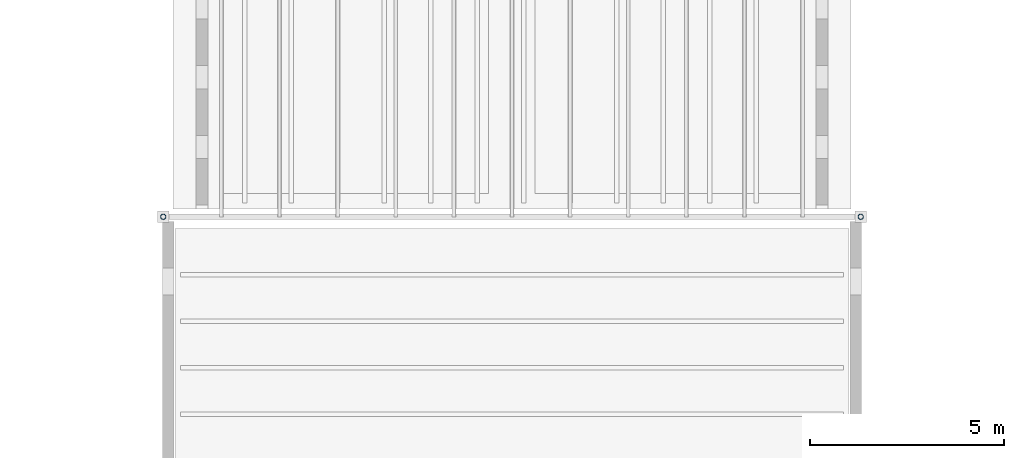
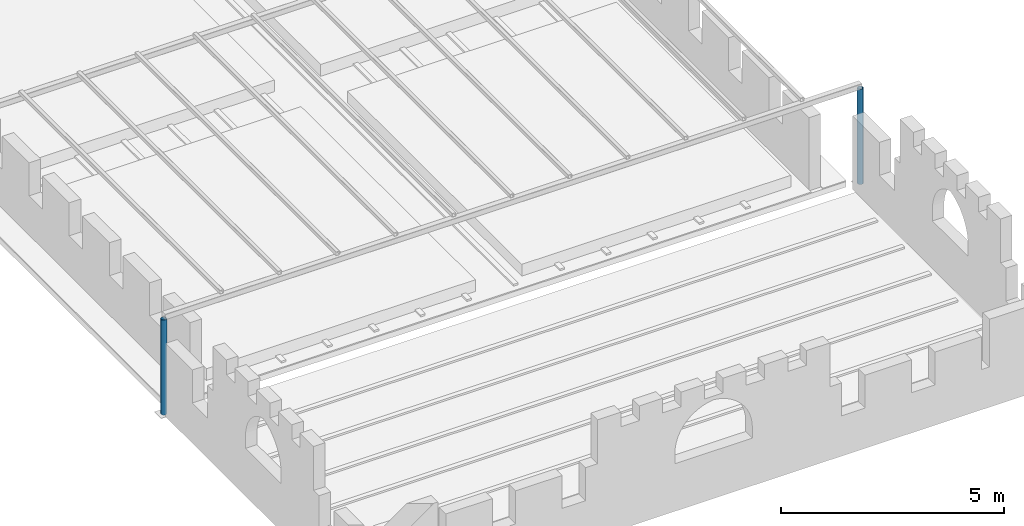
# One storey, part 1 of 37: 2 columns.
"""IFC4 building model written with IfcOpenShell, lengths in metres."""

from ifc_helpers import new_model, si_unit, direction, frame, origin, origin_2d, place, context, subcontext, project, spatial, hollow_circle, extrude, material, material_profile, profile_set, type_object, element, save


model = new_model("IFC4")

# Units and contexts
model_context = context("Model", 3, precision=1e-05, world=origin(), true_north=direction((0.0, 1.0)))
body_context = subcontext(model_context, "Body", "Model", "MODEL_VIEW")
ifc_project = project(units=[si_unit("LENGTHUNIT", "METRE"), si_unit("AREAUNIT", "SQUARE_METRE"), si_unit("VOLUMEUNIT", "CUBIC_METRE"), si_unit("PLANEANGLEUNIT", "RADIAN"), si_unit("MASSUNIT", "GRAM", prefix="KILO")], contexts=[model_context])

# Site, building, storey
site_placement = place(None, origin())
site = spatial("IfcSite", under=ifc_project, at=site_placement, CompositionType="ELEMENT")
building_placement = place(site_placement, origin())
building = spatial("IfcBuilding", under=site, at=building_placement, Name="Baradari Gate Terminus", CompositionType="ELEMENT")
storey_placement = place(building_placement, frame((0.0, 0.0, 24.300048828125)))
storey = spatial("IfcBuildingStorey", under=building, at=storey_placement, Name="L05", CompositionType="ELEMENT", Elevation=24.300048828125)

# Columns
ifc_material = material(Name="Steel S355", Category="steel")
ifc_material_profile = material_profile(ifc_material, hollow_circle(Radius=0.06982421875, WallThickness=0.008056640625, at=origin_2d()), Name="CHS 139.7x8")
ifc_profile_set = profile_set([ifc_material_profile], Name="Steel S355")
column_type = type_object("IfcColumnType", Name="Pergola post CHS 139.7x8", PredefinedType="COLUMN", material=ifc_profile_set)
for number, where, z_axis, x_axis, name in (
    (1, (72.0, 36.0, 0.0), (0.0, 0.0, 1.0), (1.0, 0.0, 0.0), "RF/L05/PGG1-PGC1"),
    (2, (90.0, 36.0, 0.0), (0.0, 0.0, 1.0), (1.0, 0.0, 0.0), "RF/L05/PGG1-PGC2"),
):
    element("IfcColumn", number, at=place(storey_placement, frame(where, z_axis=z_axis, x_axis=x_axis)), inside=storey, type_object=column_type, Name=name, PredefinedType="COLUMN", context=body_context, shape_type="SweptSolid", body=[
        extrude(hollow_circle(Radius=0.06982421875, WallThickness=0.008056640625, at=origin_2d()), origin(), (0.0, 0.0, 1.0), 2.599853515625),
    ])

save(model, "model.ifc")
